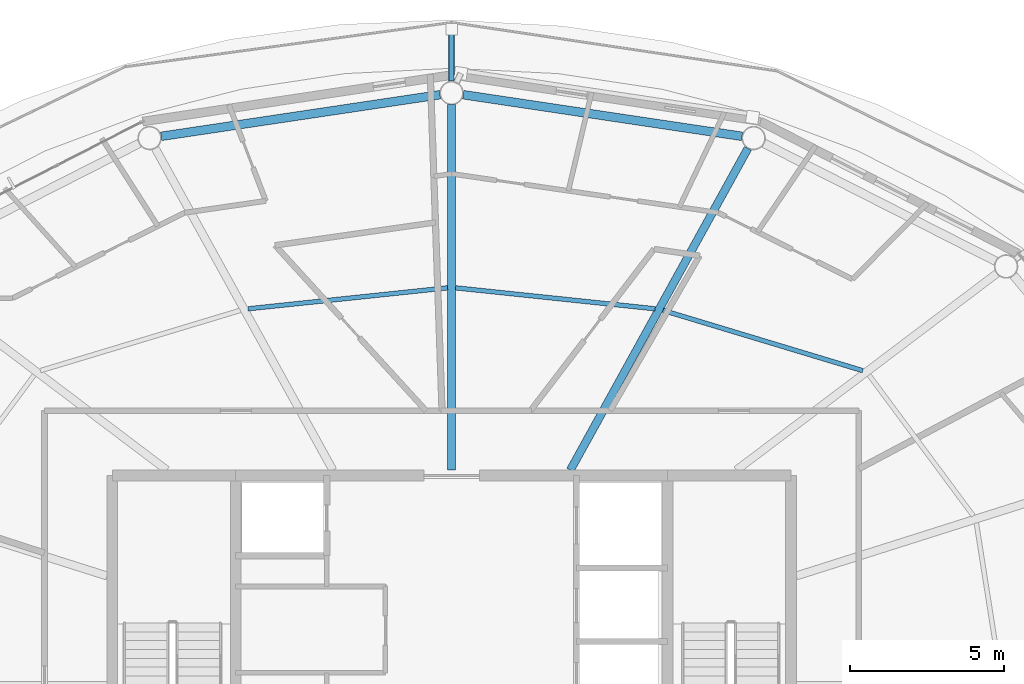
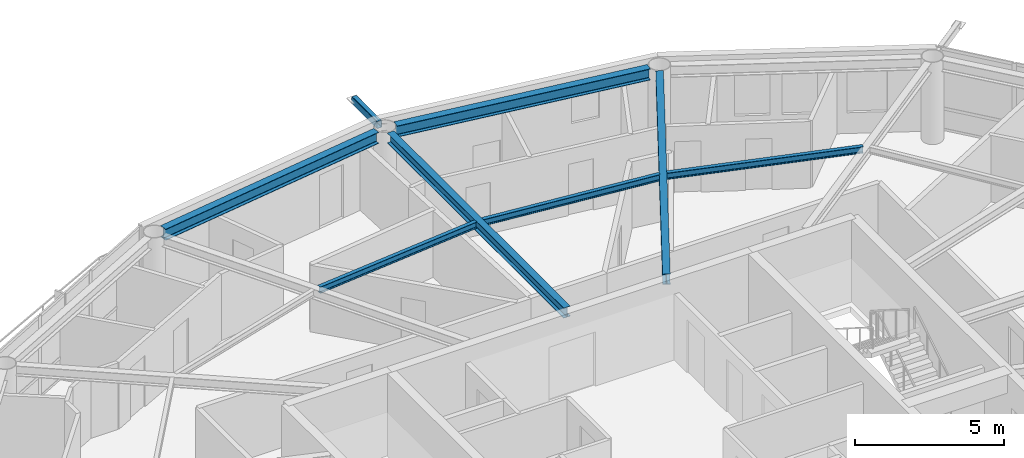
# One storey, part 10 of 22: 7 beams, 1 member.
"""IFC4 building model written with IfcOpenShell, lengths in metres."""

from ifc_helpers import new_model, si_unit, direction, frame, origin, origin_2d, place, context, subcontext, project, spatial, hollow_rectangle, i_section, extrude, material, material_profile, profile_set, type_object, element, save


model = new_model("IFC4")

# Units and contexts
model_context = context("Model", 3, precision=1e-05, world=origin(), true_north=direction((0.0, 1.0)))
body_context = subcontext(model_context, "Body", "Model", "MODEL_VIEW")
ifc_project = project(units=[si_unit("LENGTHUNIT", "METRE"), si_unit("AREAUNIT", "SQUARE_METRE"), si_unit("VOLUMEUNIT", "CUBIC_METRE"), si_unit("PLANEANGLEUNIT", "RADIAN"), si_unit("MASSUNIT", "GRAM", prefix="KILO")], contexts=[model_context])

# Site, building, storey
site_placement = place(None, origin())
site = spatial("IfcSite", under=ifc_project, at=site_placement, CompositionType="ELEMENT")
building_placement = place(site_placement, origin())
building = spatial("IfcBuilding", under=site, at=building_placement, Name="Sarneth Arch Tower", CompositionType="ELEMENT")
storey_placement = place(building_placement, frame((0.0, 0.0, 287.39990234375)))
storey = spatial("IfcBuildingStorey", under=building, at=storey_placement, Name="L74", CompositionType="ELEMENT", Elevation=287.39990234375)

# Beams
ifc_material_1 = material(Name="Steel S355", Category="steel")
ifc_material_profile_1 = material_profile(ifc_material_1, i_section(OverallWidth=0.14794921875, OverallDepth=0.26611328125, WebThickness=0.007568359375, FlangeThickness=0.012939453125, FilletRadius=0.012939453125, at=origin_2d()), Name="W250x44.8")
ifc_profile_set_1 = profile_set([ifc_material_profile_1], Name="Steel S355")
beam_type_1 = type_object("IfcBeamType", Name="BM-JOIST-250", PredefinedType="JOIST", material=ifc_profile_set_1)
beam_1_placement = place(storey_placement, frame((61.32861328125, 52.198486328125, 3.237060546875), z_axis=(-0.957373106971, 0.288854174367, 0.0), x_axis=(-0.288854174367, -0.957373106971, 0.0)))
element("IfcBeam", 1, at=beam_1_placement, inside=storey, type_object=beam_type_1, Name="L74 Secondary floor joist 03", PredefinedType="JOIST", context=body_context, shape_type="SweptSolid", body=[
    extrude(i_section(OverallWidth=0.14794921875, OverallDepth=0.26611328125, WebThickness=0.007568359375, FlangeThickness=0.012939453125, FilletRadius=0.012939453125, at=origin_2d()), origin(), (0.0, 0.0, 1.0), 6.76416015625),
])
for number, where, z_axis, x_axis, name in (
    (2, (54.59912109375, 54.20361328125, 3.237060546875), (-0.994526818736, 0.104481609938, 0.0), (-0.104481609938, -0.994526818736, 0.0), "L74 Secondary floor joist 04"),
    (3, (47.87060546875, 54.88330078125, 3.237060546875), (-0.994526818736, -0.104481609938, 0.0), (0.104481609938, -0.994526818736, 0.0), "L74 Secondary floor joist 05"),
):
    element("IfcBeam", number, at=place(storey_placement, frame(where, z_axis=z_axis, x_axis=x_axis)), inside=storey, type_object=beam_type_1, Name=name, PredefinedType="JOIST", context=body_context, shape_type="SweptSolid", body=[
        extrude(i_section(OverallWidth=0.14794921875, OverallDepth=0.26611328125, WebThickness=0.007568359375, FlangeThickness=0.012939453125, FilletRadius=0.012939453125, at=origin_2d()), origin(), (0.0, 0.0, 1.0), 6.50537109375),
    ])
ifc_material_2 = material(Name="Steel S355", Category="steel")
ifc_material_profile_2 = material_profile(ifc_material_2, i_section(OverallWidth=0.260009765625, OverallDepth=0.4150390625, WebThickness=0.010009765625, FlangeThickness=0.016845703125, FilletRadius=0.01611328125, at=origin_2d()), Name="W410x100")
ifc_profile_set_2 = profile_set([ifc_material_profile_2], Name="Steel S355")
beam_type_2 = type_object("IfcBeamType", Name="BM-RAD-410A", PredefinedType="BEAM", material=ifc_profile_set_2)
beam_2_placement = place(storey_placement, frame((51.849853515625, 48.97509765625, 3.16259765625), z_axis=(0.483231193732, 0.875492783182, 0.0), x_axis=(-0.875492783182, 0.483231193732, 0.0)))
element("IfcBeam", 4, at=beam_2_placement, inside=storey, type_object=beam_type_2, Name="L74 Radial floor girder 04", PredefinedType="BEAM", context=body_context, shape_type="SweptSolid", body=[
    extrude(i_section(OverallWidth=0.260009765625, OverallDepth=0.4150390625, WebThickness=0.010009765625, FlangeThickness=0.016845703125, FilletRadius=0.01611328125, at=origin_2d()), origin(), (0.0, 0.0, 1.0), 11.913330078125),
])
beam_3_placement = place(storey_placement, frame((48.0, 48.97509765625, 3.16259765625), z_axis=(0.0, 1.0, 0.0), x_axis=(-1.0, 0.0, 0.0)))
element("IfcBeam", 5, at=beam_3_placement, inside=storey, type_object=beam_type_2, Name="L74 Radial floor girder 05", PredefinedType="BEAM", context=body_context, shape_type="SweptSolid", body=[
    extrude(i_section(OverallWidth=0.260009765625, OverallDepth=0.4150390625, WebThickness=0.010009765625, FlangeThickness=0.016845703125, FilletRadius=0.01611328125, at=origin_2d()), origin(), (0.0, 0.0, 1.0), 11.843994140625),
])
ifc_material_3 = material(Name="Steel S355", Category="steel")
ifc_material_profile_3 = material_profile(ifc_material_3, i_section(OverallWidth=0.280029296875, OverallDepth=0.462890625, WebThickness=0.0107421875, FlangeThickness=0.017333984375, FilletRadius=0.01806640625, at=origin_2d()), Name="W460x113")
ifc_profile_set_3 = profile_set([ifc_material_profile_3], Name="Steel S355")
beam_type_3 = type_object("IfcBeamType", Name="BM-RAD-460A", PredefinedType="BEAM", material=ifc_profile_set_3)
for number, where, z_axis, x_axis, name in (
    (6, (57.4140625, 59.794677734375, 3.138671875), (-0.989040174637, 0.147646648973, 0.0), (-0.147646648973, -0.989040174637, 0.0), "L74 Perimeter spandrel beam 04"),
    (7, (47.623291015625, 61.143798828125, 3.138671875), (-0.989040174637, -0.147646648973, 0.0), (0.147646648973, -0.989040174637, 0.0), "L74 Perimeter spandrel beam 05"),
):
    element("IfcBeam", number, at=place(storey_placement, frame(where, z_axis=z_axis, x_axis=x_axis)), inside=storey, type_object=beam_type_3, Name=name, PredefinedType="BEAM", context=body_context, shape_type="SweptSolid", body=[
        extrude(i_section(OverallWidth=0.280029296875, OverallDepth=0.462890625, WebThickness=0.0107421875, FlangeThickness=0.017333984375, FilletRadius=0.01806640625, at=origin_2d()), origin(), (0.0, 0.0, 1.0), 9.137451171875),
    ])

# Member
ifc_material_4 = material(Name="Steel S355", Category="steel")
ifc_material_profile_4 = material_profile(ifc_material_4, hollow_rectangle(XDim=0.199951171875, YDim=0.300048828125, WallThickness=0.012451171875, InnerFilletRadius=0.018798828125, OuterFilletRadius=0.03125, at=origin_2d()), Name="RHS300x200x12.5")
ifc_profile_set_4 = profile_set([ifc_material_profile_4], Name="Steel S355")
member_type = type_object("IfcMemberType", Name="MEM-CANT-STRUT", PredefinedType="STRUT", material=ifc_profile_set_4)
member_placement = place(storey_placement, frame((48.0, 61.5810546875, 3.210205078125), z_axis=(0.0, 1.0, 0.0), x_axis=(-1.0, 0.0, 0.0)))
element("IfcMember", 8, at=member_placement, inside=storey, type_object=member_type, Name="L74 Balcony cantilever bracket 05", PredefinedType="STRUT", context=body_context, shape_type="SweptSolid", body=[
    extrude(hollow_rectangle(XDim=0.199951171875, YDim=0.300048828125, WallThickness=0.012451171875, InnerFilletRadius=0.018798828125, OuterFilletRadius=0.03125, at=origin_2d()), origin(), (0.0, 0.0, 1.0), 1.685546875),
])

save(model, "model.ifc")
